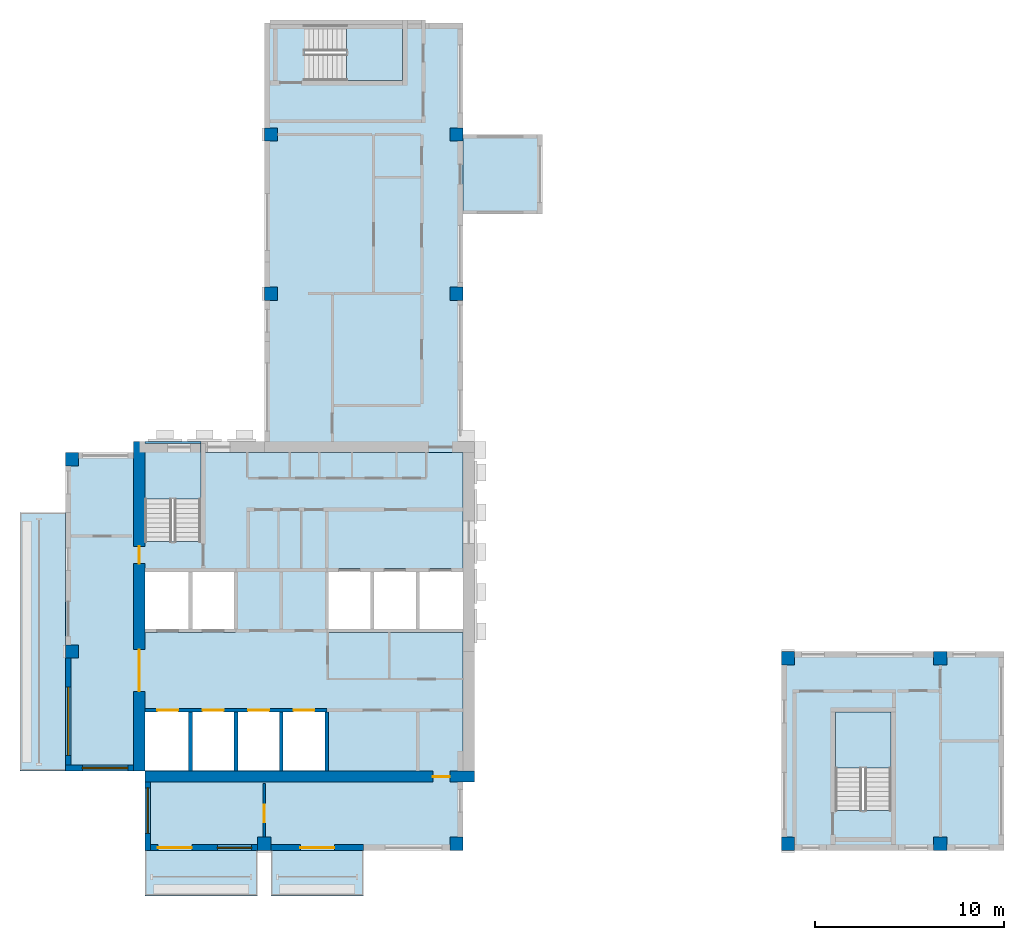
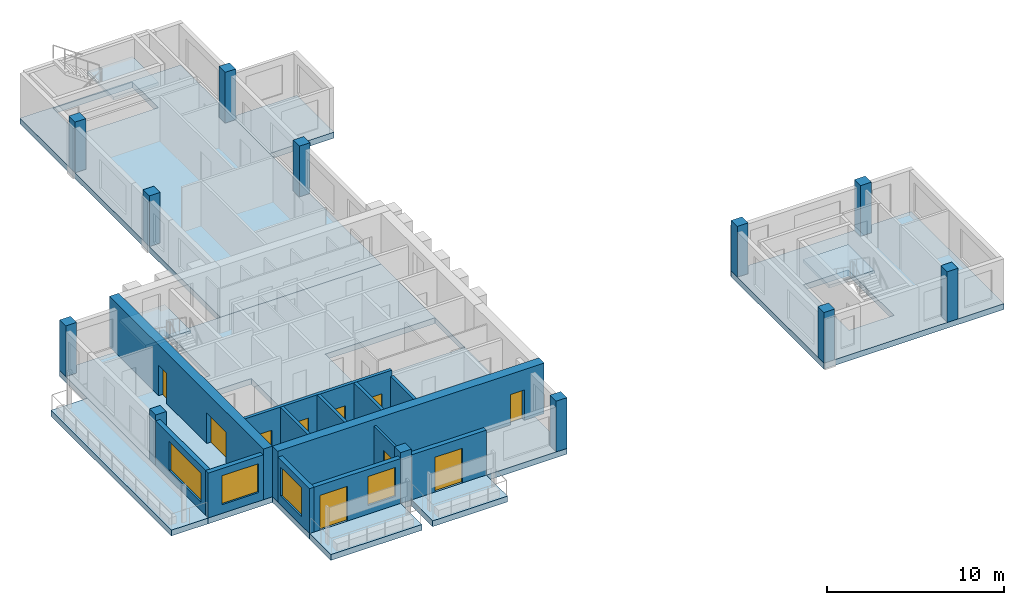
# One storey, part 1 of 9: 13 walls, 12 columns, 11 slabs, 10 doors, 4 windows, 14 openings, 3 elements without a shape of their own.
"""IFC4 building model written with IfcOpenShell, lengths in metres."""

import ifcopenshell
import ifcopenshell.guid

model = None  # the IFC model being written
_history = None  # IfcOwnerHistory: only IFC2X3 demands one
_inside = {}  # id of a spatial element -> (the spatial element, [elements in it])
_under = {}  # id of a project, library or spatial element -> (it, [spatial elements below it])
_declared = {}  # id of a project -> (the project, [libraries it declares])
_typed = {}  # id of a type object -> (the type object, [elements of that type])
_made_of = {}  # id of a material, layer set ... -> (it, [elements and type objects made of it])


def new_model(schema):
    """Start an empty IFC model of exactly this schema.

    Asked for "IFC4X3", IfcOpenShell would pick the latest addendum, in which some entities
    have other attributes; the version numbers below select the first issue.
    IFC2X3 requires an IfcOwnerHistory on every rooted entity: one is made here for all.
    """
    global model, _history
    if schema == "IFC4X3":
        model = ifcopenshell.file(schema_version=(4, 3, 0, 0))
    else:
        model = ifcopenshell.file(schema=schema)
    _inside.clear()
    _under.clear()
    _declared.clear()
    _typed.clear()
    _made_of.clear()
    _history = None
    if model.schema == "IFC2X3":
        org = make("IfcOrganization", Name="unknown")
        user = make(
            "IfcPersonAndOrganization",
            ThePerson=make("IfcPerson", FamilyName="unknown"),
            TheOrganization=org,
        )
        app = make(
            "IfcApplication",
            ApplicationDeveloper=org,
            Version="unknown",
            ApplicationFullName="unknown",
            ApplicationIdentifier="unknown",
        )
        _history = make(
            "IfcOwnerHistory",
            OwningUser=user,
            OwningApplication=app,
            ChangeAction="ADDED",
            CreationDate=0,
        )
    return model


def make(cls, **values):
    """One entity of the class cls with the attributes given. An attribute that is None is left unset."""
    return model.create_entity(
        cls, **{name: value for name, value in values.items() if value is not None}
    )


def rooted(cls, **values):
    """An entity with a GlobalId (a new one), such as an element, a storey or a relation."""
    return make(cls, GlobalId=ifcopenshell.guid.new(), OwnerHistory=_history, **values)


def si_unit(unit_type, name, prefix=None):
    """IfcSIUnit, for example si_unit("LENGTHUNIT", "METRE", prefix="MILLI")."""
    return make("IfcSIUnit", UnitType=unit_type, Prefix=prefix, Name=name)


def assignment(units):
    """IfcUnitAssignment: the units of a project."""
    return None if units is None else make("IfcUnitAssignment", Units=units)


def point(xyz):
    """IfcCartesianPoint."""
    return None if xyz is None else make("IfcCartesianPoint", Coordinates=xyz)


def direction(xyz):
    """IfcDirection."""
    return None if xyz is None else make("IfcDirection", DirectionRatios=xyz)


def frame(location, z_axis=None, x_axis=None):
    """IfcAxis2Placement3D, a coordinate frame: its origin and axes. An axis left out is left unset."""
    return make(
        "IfcAxis2Placement3D",
        Location=point(location),
        Axis=direction(z_axis),
        RefDirection=direction(x_axis),
    )


def frame_2d(location, x_axis=None):
    """IfcAxis2Placement2D, a coordinate frame in the plane: its origin and x axis."""
    return make(
        "IfcAxis2Placement2D", Location=point(location), RefDirection=direction(x_axis)
    )


def origin():
    """The frame at (0, 0, 0) with its axes left unset."""
    return frame((0.0, 0.0, 0.0))


def origin_2d():
    """The frame at (0, 0) in the plane with its x axis left unset."""
    return frame_2d((0.0, 0.0))


def place(relative_to, where):
    """IfcLocalPlacement: puts the frame where relative to a parent placement (None: the world)."""
    return make(
        "IfcLocalPlacement", PlacementRelTo=relative_to, RelativePlacement=where
    )


def context(
    kind, dimensions, precision=None, world=None, true_north=None, identifier=None
):
    """IfcGeometricRepresentationContext, for example the 3D "Model" context."""
    return make(
        "IfcGeometricRepresentationContext",
        ContextIdentifier=identifier,
        ContextType=kind,
        CoordinateSpaceDimension=dimensions,
        Precision=precision,
        WorldCoordinateSystem=world,
        TrueNorth=true_north,
    )


def subcontext(parent, identifier, kind, view, scale=None):
    """IfcGeometricRepresentationSubContext, for example "Body" below "Model"."""
    return make(
        "IfcGeometricRepresentationSubContext",
        ContextIdentifier=identifier,
        ContextType=kind,
        ParentContext=parent,
        TargetScale=scale,
        TargetView=view,
    )


def project(units=None, contexts=None):
    """IfcProject with its units and contexts."""
    return rooted(
        "IfcProject",
        Name="project",
        RepresentationContexts=contexts,
        UnitsInContext=assignment(units),
    )


def spatial(cls, under=None, at=None, **own):
    """A site, building, storey or space (cls), placed at a placement, below another one or the project."""
    s = rooted(cls, ObjectPlacement=at, **own)
    if under is not None:
        _under.setdefault(under.id(), (under, []))[1].append(s)
    return s


def polyline(points):
    """IfcPolyline through the points."""
    return make("IfcPolyline", Points=[point(p) for p in points])


def profile(cls, at=None, kind="AREA", **sizes):
    """A parametric profile (cls). Its sizes go by their IFC names, for example OverallWidth=200.0."""
    return make(cls, ProfileType=kind, Position=at, **sizes)


def rectangle(**sizes):
    """IfcRectangleProfileDef."""
    return profile("IfcRectangleProfileDef", **sizes)


def outline(outer, holes=None, kind="AREA"):
    """IfcArbitraryClosedProfileDef: a profile drawn as a closed curve; with holes, ...WithVoids."""
    if holes is None:
        return make("IfcArbitraryClosedProfileDef", ProfileType=kind, OuterCurve=outer)
    return make(
        "IfcArbitraryProfileDefWithVoids",
        ProfileType=kind,
        OuterCurve=outer,
        InnerCurves=holes,
    )


def extrude(swept, where, along, depth):
    """IfcExtrudedAreaSolid: the profile swept, set in the frame where, extruded along a direction by depth."""
    return make(
        "IfcExtrudedAreaSolid",
        SweptArea=swept,
        Position=where,
        ExtrudedDirection=direction(along),
        Depth=depth,
    )


def shape(context_of_items, identifier, shape_type, items):
    """IfcShapeRepresentation: the items that make up one representation, for example the "Body"."""
    return make(
        "IfcShapeRepresentation",
        ContextOfItems=context_of_items,
        RepresentationIdentifier=identifier,
        RepresentationType=shape_type,
        Items=items,
    )


def source(mapping_origin, context_of_items, identifier, shape_type, items):
    """IfcRepresentationMap: a shape defined once, which mapped items show again and again."""
    return make(
        "IfcRepresentationMap",
        MappingOrigin=mapping_origin,
        MappedRepresentation=shape(context_of_items, identifier, shape_type, items),
    )


def transform(
    local_origin,
    x_axis=None,
    y_axis=None,
    z_axis=None,
    scale=None,
    scale2=None,
    scale3=None,
    uniform=True,
):
    """IfcCartesianTransformationOperator3D, or its non-uniform kind. x_axis, y_axis, z_axis: its Axis1, 2, 3."""
    if uniform:
        return make(
            "IfcCartesianTransformationOperator3D",
            Axis1=direction(x_axis),
            Axis2=direction(y_axis),
            LocalOrigin=point(local_origin),
            Scale=scale,
            Axis3=direction(z_axis),
        )
    return make(
        "IfcCartesianTransformationOperator3DnonUniform",
        Axis1=direction(x_axis),
        Axis2=direction(y_axis),
        LocalOrigin=point(local_origin),
        Scale=scale,
        Axis3=direction(z_axis),
        Scale2=scale2,
        Scale3=scale3,
    )


def mapped(mapping_source, mapping_target):
    """IfcMappedItem: shows the shape of a source again, moved by a transform."""
    return make(
        "IfcMappedItem", MappingSource=mapping_source, MappingTarget=mapping_target
    )


def material(Name=None, Category=None):
    """IfcMaterial."""
    return make("IfcMaterial", Name=Name, Category=Category)


def layer(
    of_material, thickness, ventilated=None, Name=None, Category=None, Priority=None
):
    """IfcMaterialLayer: one layer of a wall or slab, of a material (None: an air gap)."""
    return make(
        "IfcMaterialLayer",
        Material=of_material,
        LayerThickness=thickness,
        IsVentilated=ventilated,
        Name=Name,
        Category=Category,
        Priority=Priority,
    )


def layer_set(layers, Name=None):
    """IfcMaterialLayerSet."""
    return make("IfcMaterialLayerSet", MaterialLayers=layers, LayerSetName=Name)


def material_profile(
    of_material, cross_section, Name=None, Category=None, Priority=None
):
    """IfcMaterialProfile: a cross section and its material."""
    return make(
        "IfcMaterialProfile",
        Name=Name,
        Material=of_material,
        Profile=cross_section,
        Priority=Priority,
        Category=Category,
    )


def profile_set(profiles, Name=None, composite=None):
    """IfcMaterialProfileSet."""
    return make(
        "IfcMaterialProfileSet",
        Name=Name,
        MaterialProfiles=profiles,
        CompositeProfile=composite,
    )


def made_of(thing, what):
    """Note that an element or type object is made of a material, layer set ...; save() writes the relation."""
    if what is not None:
        _made_of.setdefault(what.id(), (what, []))[1].append(thing)
    return thing


def type_object(cls, material=None, **own):
    """A type object (cls), such as IfcWallType, which elements share."""
    return made_of(rooted(cls, **own), material)


def element(
    cls,
    number,
    at=None,
    inside=None,
    cuts=None,
    type_object=None,
    material=None,
    context=None,
    identifier="Body",
    shape_type=None,
    held_by="IfcProductDefinitionShape",
    body=None,
    shapes=None,
    **own,
):
    """One element of the class cls, such as IfcWall. Its Tag is "e" and its number.

    at: its placement. inside: the storey or other place that contains it. cuts: it is an
    opening in that element (IfcRelVoidsElement). A single representation is given by context,
    identifier, shape_type and body (its items); several are given by shapes. held_by: the class
    of the entity that holds the representations. save() writes the other relations.
    """
    e = rooted(cls, Tag="e%d" % number, ObjectPlacement=at, **own)
    if body is not None:
        shapes = [shape(context, identifier, shape_type, body)]
    if shapes is not None:
        e.Representation = make(held_by, Representations=shapes)
    if inside is not None:
        _inside.setdefault(inside.id(), (inside, []))[1].append(e)
    if cuts is not None:
        rooted(
            "IfcRelVoidsElement", RelatingBuildingElement=cuts, RelatedOpeningElement=e
        )
    if type_object is not None:
        _typed.setdefault(type_object.id(), (type_object, []))[1].append(e)
    return made_of(e, material)


def fill(opening, filler):
    """IfcRelFillsElement: the door or window that sits in an opening."""
    return rooted(
        "IfcRelFillsElement",
        RelatingOpeningElement=opening,
        RelatedBuildingElement=filler,
    )


def aggregate(whole, parts):
    """IfcRelAggregates: a whole, such as a stair, and the parts it consists of."""
    return rooted("IfcRelAggregates", RelatingObject=whole, RelatedObjects=parts)


def save(model, path):
    """Write the relations noted so far, then the file.

    IfcRelAggregates (storeys below a building ...), IfcRelContainedInSpatialStructure (elements
    in a storey), IfcRelDefinesByType, IfcRelAssociatesMaterial and IfcRelDeclares: one each for
    every whole, place, type object, material and project.
    """
    for whole, parts in _under.values():
        aggregate(whole, parts)
    for where, things in _inside.values():
        rooted(
            "IfcRelContainedInSpatialStructure",
            RelatedElements=things,
            RelatingStructure=where,
        )
    for kind, things in _typed.values():
        rooted("IfcRelDefinesByType", RelatedObjects=things, RelatingType=kind)
    for what, things in _made_of.values():
        rooted("IfcRelAssociatesMaterial", RelatedObjects=things, RelatingMaterial=what)
    for by, libraries in _declared.values():
        rooted("IfcRelDeclares", RelatingContext=by, RelatedDefinitions=libraries)
    model.write(path)


model = new_model("IFC4")

# Units and contexts
model_context = context("Model", 3, precision=1e-05, world=origin(), true_north=direction((0.0, 1.0)))
body_context = subcontext(model_context, "Body", "Model", "MODEL_VIEW")
ifc_project = project(units=[si_unit("LENGTHUNIT", "METRE"), si_unit("AREAUNIT", "SQUARE_METRE"), si_unit("VOLUMEUNIT", "CUBIC_METRE"), si_unit("PLANEANGLEUNIT", "RADIAN"), si_unit("MASSUNIT", "GRAM", prefix="KILO")], contexts=[model_context])

# Site, building, storey
site_placement = place(None, origin())
site = spatial("IfcSite", under=ifc_project, at=site_placement, CompositionType="ELEMENT")
building_placement = place(site_placement, origin())
building = spatial("IfcBuilding", under=site, at=building_placement, Name="Aurelian Terraces", CompositionType="ELEMENT")
storey_placement = place(building_placement, frame((0.0, 0.0, 298.5)))
storey = spatial("IfcBuildingStorey", under=building, at=storey_placement, Name="L68", CompositionType="ELEMENT", Elevation=298.5)

# Columns
ifc_material_1 = material(Name="Concrete fc' 55 MPa", Category="concrete")
ifc_material_profile = material_profile(ifc_material_1, rectangle(XDim=0.7, YDim=0.7, at=origin_2d()))
ifc_profile_set = profile_set([ifc_material_profile], Name="Concrete fc' 55 MPa")
column_type = type_object("IfcColumnType", Name="RC COLUMN 700X700 FC55", PredefinedType="COLUMN", material=ifc_profile_set)
shared_shape_1 = source(origin(), body_context, "Body", "SweptSolid", [
    extrude(rectangle(XDim=0.7, YDim=0.7, at=origin_2d()), origin(), (0.0, 0.0, 1.0), 3.5),
])
for number, where, z_axis, x_axis, name in (
    (1, (10.5, 0.35, 0.0), (0.0, 0.0, 1.0), (1.0, 0.0, 0.0), "Column 2/A L68"),
    (2, (20.65, 0.35, 0.0), (0.0, 0.0, 1.0), (1.0, 0.0, 0.0), "Column 3/A L68"),
    (3, (38.15, 0.35, 0.0), (0.0, 0.0, 1.0), (1.0, 0.0, 0.0), "Column 5/A L68"),
    (4, (46.2, 0.35, 0.0), (0.0, 0.0, 1.0), (1.0, 0.0, 0.0), "Column 6/A L68"),
    (5, (0.35, 10.5, 0.0), (0.0, 0.0, 1.0), (1.0, 0.0, 0.0), "Column 1/B L68"),
    (6, (38.15, 10.15, 0.0), (0.0, 0.0, 1.0), (1.0, 0.0, 0.0), "Column 5/B L68"),
    (7, (46.2, 10.15, 0.0), (0.0, 0.0, 1.0), (1.0, 0.0, 0.0), "Column 6/B L68"),
    (8, (0.35, 20.65, 0.0), (0.0, 0.0, 1.0), (1.0, 0.0, 0.0), "Column 1/C L68"),
    (9, (10.85, 29.4, 0.0), (0.0, 0.0, 1.0), (1.0, 0.0, 0.0), "Column 2/D L68"),
    (10, (20.65, 29.4, 0.0), (0.0, 0.0, 1.0), (1.0, 0.0, 0.0), "Column 3/D L68"),
    (11, (10.85, 37.8, 0.0), (0.0, 0.0, 1.0), (1.0, 0.0, 0.0), "Column 2/E L68"),
    (12, (20.65, 37.8, 0.0), (0.0, 0.0, 1.0), (1.0, 0.0, 0.0), "Column 3/E L68"),
):
    element("IfcColumn", number, at=place(storey_placement, frame(where, z_axis=z_axis, x_axis=x_axis)), inside=storey, type_object=column_type, Name=name, PredefinedType="COLUMN", context=body_context, shape_type="MappedRepresentation", body=[
        mapped(shared_shape_1, transform((0.0, 0.0, 0.0), scale=1.0)),
    ])

# Slabs
ifc_material_2 = material(Name="Concrete fc' 40 MPa", Category="concrete")
ifc_layer_1 = layer(ifc_material_2, 0.4)
ifc_layer_set_1 = layer_set([ifc_layer_1], Name="Balcony slab 400")
slab_type_1 = type_object("IfcSlabType", Name="Balcony slab 400", PredefinedType="NOTDEFINED", material=ifc_layer_set_1)
slab_1_placement = place(storey_placement, frame((0.0, 0.0, -0.4)))
element("IfcSlab", 13, at=slab_1_placement, inside=storey, type_object=slab_type_1, Name="Balcony slab L68 F01.1", PredefinedType="NOTDEFINED", context=body_context, shape_type="SweptSolid", body=[
    extrude(outline(polyline([(4.2, 0.0), (10.15, 0.0), (10.15, -2.4), (4.2, -2.4), (4.2, 0.0)])), origin(), (0.0, 0.0, 1.0), 0.4),
])
slab_2_placement = place(storey_placement, frame((0.0, 0.0, -0.4)))
element("IfcSlab", 14, at=slab_2_placement, inside=storey, type_object=slab_type_1, Name="Balcony slab L68 F01.2", PredefinedType="NOTDEFINED", context=body_context, shape_type="SweptSolid", body=[
    extrude(outline(polyline([(10.85, 0.0), (15.75, 0.0), (15.75, -2.4), (10.85, -2.4), (10.85, 0.0)])), origin(), (0.0, 0.0, 1.0), 0.4),
])
ifc_layer_2 = layer(ifc_material_2, 0.4)
ifc_layer_set_2 = layer_set([ifc_layer_2], Name="PT FLAT PLATE 400")
slab_type_2 = type_object("IfcSlabType", Name="PT FLAT PLATE 400", PredefinedType="FLOOR", material=ifc_layer_set_2)
shared_shape_2 = source(origin(), body_context, "Body", "SweptSolid", [
    extrude(outline(polyline([(10.5, 43.68), (14.7, 43.68), (16.8, 43.68), (21.0, 43.68), (21.0, 21.0), (10.5, 21.0), (10.5, 43.68)]), holes=[polyline([(17.79, 43.59), (12.61, 43.59), (12.61, 40.66), (17.79, 40.66), (17.79, 43.59)])]), origin(), (0.0, 0.0, 1.0), 0.4),
])
slab_3_placement = place(storey_placement, frame((0.0, 0.0, -0.4)))
element("IfcSlab", 15, at=slab_3_placement, inside=storey, type_object=slab_type_2, Name="Floor slab W L68", PredefinedType="FLOOR", context=body_context, shape_type="MappedRepresentation", body=[
    mapped(shared_shape_2, transform((0.0, 0.0, 0.0), scale=1.0)),
])
shared_shape_3 = source(origin(), body_context, "Body", "SweptSolid", [
    extrude(outline(polyline([(4.2, 21.0), (4.2, 21.6), (7.15, 21.6), (7.15, 21.0), (7.14, 21.0), (7.14, 21.49), (4.21, 21.49), (4.21, 21.0), (4.2, 21.0)])), origin(), (0.0, 0.0, 1.0), 0.4),
])
slab_4_placement = place(storey_placement, frame((0.0, 0.0, -0.4)))
element("IfcSlab", 16, at=slab_4_placement, inside=storey, type_object=slab_type_2, Name="Floor slab W2 L68", PredefinedType="FLOOR", context=body_context, shape_type="MappedRepresentation", body=[
    mapped(shared_shape_3, transform((0.0, 0.0, 0.0), scale=1.0)),
])
shared_shape_4 = source(origin(), body_context, "Body", "SweptSolid", [
    extrude(outline(polyline([(4.2, 4.2), (0.0, 4.2), (0.0, 10.5), (0.0, 21.0), (4.21, 21.0), (4.21, 16.31), (7.14, 16.31), (7.14, 21.0), (21.0, 21.0), (21.0, 10.5), (21.0, 0.0), (4.2, 0.0), (4.2, 4.2)]), holes=[polyline([(13.81, 14.89), (13.81, 11.51), (20.99, 11.51), (20.99, 14.89), (13.81, 14.89)]), polyline([(4.21, 7.49), (4.21, 4.21), (13.79, 4.21), (13.79, 7.49), (4.21, 7.49)]), polyline([(8.99, 11.51), (8.99, 14.89), (4.21, 14.89), (4.21, 11.51), (8.99, 11.51)])]), origin(), (0.0, 0.0, 1.0), 0.4),
])
slab_5_placement = place(storey_placement, frame((0.0, 0.0, -0.4)))
element("IfcSlab", 17, at=slab_5_placement, inside=storey, type_object=slab_type_2, Name="Floor slab S L68", PredefinedType="FLOOR", context=body_context, shape_type="MappedRepresentation", body=[
    mapped(shared_shape_4, transform((0.0, 0.0, 0.0), scale=1.0)),
])
shared_shape_5 = source(origin(), body_context, "Body", "SweptSolid", [
    extrude(outline(polyline([(37.8, 10.5), (49.56, 10.5), (49.56, 6.3), (49.56, 4.2), (49.56, 0.0), (37.8, 0.0), (37.8, 10.5)]), holes=[polyline([(40.66, 2.11), (43.59, 2.11), (43.59, 7.29), (40.66, 7.29), (40.66, 2.11)])]), origin(), (0.0, 0.0, 1.0), 0.4),
])
slab_6_placement = place(storey_placement, frame((0.0, 0.0, -0.4)))
element("IfcSlab", 18, at=slab_6_placement, inside=storey, type_object=slab_type_2, Name="Floor slab S2 L68", PredefinedType="FLOOR", context=body_context, shape_type="MappedRepresentation", body=[
    mapped(shared_shape_5, transform((0.0, 0.0, 0.0), scale=1.0)),
])
ifc_layer_3 = layer(ifc_material_2, 0.41)
ifc_layer_set_3 = layer_set([ifc_layer_3], Name="Box floor 410")
slab_type_3 = type_object("IfcSlabType", Name="Box floor 410", PredefinedType="NOTDEFINED", material=ifc_layer_set_3)
shared_shape_6 = source(origin(), body_context, "Body", "SweptSolid", [
    extrude(outline(polyline([(25.2, 33.6), (25.2, 37.8), (21.0, 37.8), (21.0, 33.6), (25.2, 33.6)])), origin(), (0.0, 0.0, 1.0), 0.41),
])
slab_7_placement = place(storey_placement, frame((0.0, 0.0, -0.41)))
element("IfcSlab", 19, at=slab_7_placement, inside=storey, type_object=slab_type_3, Name="Box floor L68 J90", PredefinedType="NOTDEFINED", context=body_context, shape_type="MappedRepresentation", body=[
    mapped(shared_shape_6, transform((0.0, 0.0, 0.0), scale=1.0)),
])
shared_shape_7 = source(origin(), body_context, "Body", "SweptSolid", [
    extrude(outline(polyline([(0.0, 17.85), (0.0, 4.2), (-2.4, 4.2), (-2.4, 17.85), (0.0, 17.85)])), origin(), (0.0, 0.0, 1.0), 0.4),
])
slab_8_placement = place(storey_placement, frame((0.0, 0.0, -0.4)))
element("IfcSlab", 20, at=slab_8_placement, inside=storey, type_object=slab_type_1, Name="Balcony slab L68 F10.20", PredefinedType="NOTDEFINED", context=body_context, shape_type="MappedRepresentation", body=[
    mapped(shared_shape_7, transform((0.0, 0.0, 0.0), scale=1.0)),
])

# Stair, slab
stair_type = type_object("IfcStairType", Name="Stair 1400", PredefinedType="HALF_TURN_STAIR", material=ifc_material_2)
stair_1_placement = place(storey_placement, origin())
stair_1 = element("IfcStair", 21, at=stair_1_placement, inside=storey, type_object=stair_type, Name="L68 S1", PredefinedType="HALF_TURN_STAIR")
ifc_layer_4 = layer(ifc_material_2, 0.2)
ifc_layer_set_4 = layer_set([ifc_layer_4], Name="Stair landing 200")
slab_type_4 = type_object("IfcSlabType", Name="Stair landing 200", PredefinedType="LANDING", material=ifc_layer_set_4)
shared_shape_8 = source(origin(), body_context, "Body", "SweptSolid", [
    extrude(outline(polyline([(7.15, 18.55), (7.15, 21.5), (4.2, 21.5), (4.2, 18.55), (7.15, 18.55)])), origin(), (0.0, 0.0, 1.0), 0.2),
])
slab_9_placement = place(storey_placement, frame((0.0, 0.0, 1.55)))
slab_9 = element("IfcSlab", 22, at=slab_9_placement, type_object=slab_type_4, Name="S1 landing 1", PredefinedType="LANDING", context=body_context, shape_type="MappedRepresentation", body=[
    mapped(shared_shape_8, transform((0.0, 0.0, 0.0), scale=1.0)),
])
aggregate(stair_1, [slab_9])

stair_2_placement = place(storey_placement, origin())
stair_2 = element("IfcStair", 23, at=stair_2_placement, inside=storey, type_object=stair_type, Name="L68 S2", PredefinedType="HALF_TURN_STAIR")
shared_shape_9 = source(origin(), body_context, "Body", "SweptSolid", [
    extrude(outline(polyline([(43.6, 4.35), (43.6, 7.3), (40.65, 7.3), (40.65, 4.35), (43.6, 4.35)])), origin(), (0.0, 0.0, 1.0), 0.2),
])
slab_10_placement = place(storey_placement, frame((0.0, 0.0, 1.55)))
slab_10 = element("IfcSlab", 24, at=slab_10_placement, type_object=slab_type_4, Name="S2 landing 1", PredefinedType="LANDING", context=body_context, shape_type="MappedRepresentation", body=[
    mapped(shared_shape_9, transform((0.0, 0.0, 0.0), scale=1.0)),
])
aggregate(stair_2, [slab_10])

stair_3_placement = place(storey_placement, origin())
stair_3 = element("IfcStair", 25, at=stair_3_placement, inside=storey, type_object=stair_type, Name="L68 S3U", PredefinedType="HALF_TURN_STAIR")
shared_shape_10 = source(origin(), body_context, "Body", "SweptSolid", [
    extrude(outline(polyline([(14.85, 40.65), (17.8, 40.65), (17.8, 43.6), (14.85, 43.6), (14.85, 40.65)])), origin(), (0.0, 0.0, 1.0), 0.2),
])
slab_11_placement = place(storey_placement, frame((0.0, 0.0, 1.55)))
slab_11 = element("IfcSlab", 26, at=slab_11_placement, type_object=slab_type_4, Name="S3U landing 1", PredefinedType="LANDING", context=body_context, shape_type="MappedRepresentation", body=[
    mapped(shared_shape_10, transform((0.0, 0.0, 0.0), scale=1.0)),
])
aggregate(stair_3, [slab_11])

# Wall, opening, door
ifc_material_3 = material(Name="Terracotta rainscreen cladding", Category="masonry")
ifc_layer_5 = layer(ifc_material_3, 0.3)
ifc_layer_set_5 = layer_set([ifc_layer_5], Name="EW-300")
wall_type_1 = type_object("IfcWallType", Name="EW-300", PredefinedType="STANDARD", material=ifc_layer_set_5)
wall_1_placement = place(storey_placement, frame((10.85, 0.15, 0.0), z_axis=(0.0, 0.0, 1.0), x_axis=(1.0, 0.0, 0.0)))
wall_1 = element("IfcWall", 27, at=wall_1_placement, inside=storey, type_object=wall_type_1, Name="External wall L68 F01.2", PredefinedType="STANDARD", context=body_context, shape_type="SweptSolid", body=[
    extrude(rectangle(XDim=4.9, YDim=0.3, at=frame_2d((2.45, 0.0))), origin(), (0.0, 0.0, 1.0), 3.1),
])
shared_shape_11 = source(origin(), body_context, "Body", "SweptSolid", [
    extrude(rectangle(XDim=1.8, YDim=2.4, at=frame_2d((0.9, 1.2))), frame((0.0, 0.16, 0.0), z_axis=(0.0, -1.0, 0.0), x_axis=(1.0, 0.0, 0.0)), (0.0, 0.0, 1.0), 0.32),
])
opening_1_placement = place(wall_1_placement, frame((1.55, 0.0, 0.0)))
opening_1 = element("IfcOpeningElement", 28, at=opening_1_placement, cuts=wall_1, Name="Opening 86802", PredefinedType="OPENING", context=body_context, shape_type="MappedRepresentation", body=[
    mapped(shared_shape_11, transform((0.0, 0.0, 0.0), scale=1.0)),
])
ifc_material_4 = material(Name="Clear glazing", Category="glass")
door_type_1 = type_object("IfcDoorType", Name="BD-1800x2400", OperationType="SLIDING_TO_LEFT", PredefinedType="DOOR", material=ifc_material_4)
shared_shape_12 = source(origin(), body_context, "Body", "SweptSolid", [
    extrude(rectangle(XDim=1.8, YDim=2.4, at=frame_2d((0.9, 1.2))), frame((0.0, 0.025, 0.0), z_axis=(0.0, -1.0, 0.0), x_axis=(1.0, 0.0, 0.0)), (0.0, 0.0, 1.0), 0.05),
])
door_1_placement = place(opening_1_placement, origin())
door_1 = element("IfcDoor", 29, at=door_1_placement, inside=storey, type_object=door_type_1, Name="Balcony door L68 F01.2", OperationType="SLIDING_TO_LEFT", OverallHeight=2.4, OverallWidth=1.8, PredefinedType="DOOR", context=body_context, shape_type="MappedRepresentation", body=[
    mapped(shared_shape_12, transform((0.0, 0.0, 0.0), scale=1.0)),
])
fill(opening_1, door_1)

# Wall, openings, doors
ifc_layer_6 = layer(ifc_material_1, 0.6)
ifc_layer_set_6 = layer_set([ifc_layer_6], Name="CORE WALL 600 FC55")
wall_type_2 = type_object("IfcWallType", Name="CORE WALL 600 FC55", PredefinedType="SHEAR", material=ifc_layer_set_6)
shared_shape_13 = source(origin(), body_context, "Body", "SweptSolid", [
    extrude(rectangle(XDim=17.4, YDim=0.6, at=frame_2d((8.7, 0.0))), origin(), (0.0, 0.0, 1.0), 3.5),
])
wall_2_placement = place(storey_placement, frame((3.9, 4.2, 0.0), z_axis=(0.0, 0.0, 1.0), x_axis=(0.0, 1.0, 0.0)))
wall_2 = element("IfcWall", 30, at=wall_2_placement, inside=storey, type_object=wall_type_2, Name="Core wall W L68", PredefinedType="SHEAR", context=body_context, shape_type="MappedRepresentation", body=[
    mapped(shared_shape_13, transform((0.0, 0.0, 0.0), scale=1.0)),
])
shared_shape_14 = source(origin(), body_context, "Body", "SweptSolid", [
    extrude(rectangle(XDim=2.2, YDim=2.1, at=frame_2d((1.1, 1.05))), frame((0.0, 0.31, 0.0), z_axis=(0.0, -1.0, 0.0), x_axis=(1.0, 0.0, 0.0)), (0.0, 0.0, 1.0), 0.62),
])
opening_2_placement = place(wall_2_placement, frame((4.2, 0.0, 0.0)))
opening_2 = element("IfcOpeningElement", 31, at=opening_2_placement, cuts=wall_2, Name="Opening 67131", PredefinedType="OPENING", context=body_context, shape_type="MappedRepresentation", body=[
    mapped(shared_shape_14, transform((0.0, 0.0, 0.0), scale=1.0)),
])
shared_shape_15 = source(origin(), body_context, "Body", "SweptSolid", [
    extrude(rectangle(XDim=0.9, YDim=2.1, at=frame_2d((0.45, 1.05))), frame((0.0, 0.31, 0.0), z_axis=(0.0, -1.0, 0.0), x_axis=(1.0, 0.0, 0.0)), (0.0, 0.0, 1.0), 0.62),
])
opening_3_placement = place(wall_2_placement, frame((10.95, 0.0, 0.0)))
opening_3 = element("IfcOpeningElement", 32, at=opening_3_placement, cuts=wall_2, Name="Opening 67134", PredefinedType="OPENING", context=body_context, shape_type="MappedRepresentation", body=[
    mapped(shared_shape_15, transform((0.0, 0.0, 0.0), scale=1.0)),
])
ifc_material_5 = material(Name="Steel door leaf", Category="steel")
door_type_2 = type_object("IfcDoorType", Name="Core service door 900x2100", OperationType="SINGLE_SWING_LEFT", PredefinedType="DOOR", material=ifc_material_5)
shared_shape_16 = source(origin(), body_context, "Body", "SweptSolid", [
    extrude(rectangle(XDim=0.9, YDim=2.1, at=frame_2d((0.45, 1.05))), frame((0.0, 0.025, 0.0), z_axis=(0.0, -1.0, 0.0), x_axis=(1.0, 0.0, 0.0)), (0.0, 0.0, 1.0), 0.05),
])
door_2_placement = place(opening_3_placement, origin())
door_2 = element("IfcDoor", 33, at=door_2_placement, inside=storey, type_object=door_type_2, Name="Core door 67134", OperationType="SINGLE_SWING_LEFT", OverallHeight=2.1, OverallWidth=0.9, PredefinedType="DOOR", context=body_context, shape_type="MappedRepresentation", body=[
    mapped(shared_shape_16, transform((0.0, 0.0, 0.0), scale=1.0)),
])
fill(opening_3, door_2)
door_type_3 = type_object("IfcDoorType", Name="Core double door 2200x2100", OperationType="DOUBLE_DOOR_SINGLE_SWING", PredefinedType="DOOR", material=ifc_material_5)
shared_shape_17 = source(origin(), body_context, "Body", "SweptSolid", [
    extrude(rectangle(XDim=2.2, YDim=2.1, at=frame_2d((1.1, 1.05))), frame((0.0, 0.025, 0.0), z_axis=(0.0, -1.0, 0.0), x_axis=(1.0, 0.0, 0.0)), (0.0, 0.0, 1.0), 0.05),
])
door_3_placement = place(opening_2_placement, origin())
door_3 = element("IfcDoor", 34, at=door_3_placement, inside=storey, type_object=door_type_3, Name="Core door 67131", OperationType="DOUBLE_DOOR_SINGLE_SWING", OverallHeight=2.1, OverallWidth=2.2, PredefinedType="DOOR", context=body_context, shape_type="MappedRepresentation", body=[
    mapped(shared_shape_17, transform((0.0, 0.0, 0.0), scale=1.0)),
])
fill(opening_2, door_3)

# Wall, opening, door
wall_3_placement = place(storey_placement, frame((4.2, 3.9, 0.0), z_axis=(0.0, 0.0, 1.0), x_axis=(1.0, 0.0, 0.0)))
wall_3 = element("IfcWall", 35, at=wall_3_placement, inside=storey, type_object=wall_type_2, Name="Core wall S L68", PredefinedType="SHEAR", context=body_context, shape_type="MappedRepresentation", body=[
    mapped(shared_shape_13, transform((0.0, 0.0, 0.0), scale=1.0)),
])
opening_4_placement = place(wall_3_placement, frame((15.2, 0.0, 0.0)))
opening_4 = element("IfcOpeningElement", 36, at=opening_4_placement, cuts=wall_3, Name="Opening 67133", PredefinedType="OPENING", context=body_context, shape_type="MappedRepresentation", body=[
    mapped(shared_shape_15, transform((0.0, 0.0, 0.0), scale=1.0)),
])
door_type_4 = type_object("IfcDoorType", Name="Core service door 900x2100 right", OperationType="SINGLE_SWING_RIGHT", PredefinedType="DOOR", material=ifc_material_5)
door_4_placement = place(opening_4_placement, origin())
door_4 = element("IfcDoor", 37, at=door_4_placement, inside=storey, type_object=door_type_4, Name="Core door 67133", OperationType="SINGLE_SWING_RIGHT", OverallHeight=2.1, OverallWidth=0.9, PredefinedType="DOOR", context=body_context, shape_type="MappedRepresentation", body=[
    mapped(shared_shape_16, transform((0.0, 0.0, 0.0), scale=1.0)),
])
fill(opening_4, door_4)

# Wall, opening, window
shared_shape_18 = source(origin(), body_context, "Body", "SweptSolid", [
    extrude(rectangle(XDim=3.6, YDim=0.3, at=frame_2d((1.8, 0.0))), origin(), (0.0, 0.0, 1.0), 3.1),
])
wall_4_placement = place(storey_placement, frame((0.0, 4.35, 0.0), z_axis=(0.0, 0.0, 1.0), x_axis=(1.0, 0.0, 0.0)))
wall_4 = element("IfcWall", 38, at=wall_4_placement, inside=storey, type_object=wall_type_1, Name="External wall L68 F11.21", PredefinedType="STANDARD", context=body_context, shape_type="MappedRepresentation", body=[
    mapped(shared_shape_18, transform((0.0, 0.0, 0.0), scale=1.0)),
])
shared_shape_19 = source(origin(), body_context, "Body", "SweptSolid", [
    extrude(rectangle(XDim=2.4, YDim=2.0, at=frame_2d((1.2, 1.0))), frame((0.0, 0.16, 0.0), z_axis=(0.0, -1.0, 0.0), x_axis=(1.0, 0.0, 0.0)), (0.0, 0.0, 1.0), 0.32),
])
opening_5_placement = place(wall_4_placement, frame((0.9, 0.0, 0.6)))
opening_5 = element("IfcOpeningElement", 39, at=opening_5_placement, cuts=wall_4, Name="Opening W2420", PredefinedType="OPENING", context=body_context, shape_type="MappedRepresentation", body=[
    mapped(shared_shape_19, transform((0.0, 0.0, 0.0), scale=1.0)),
])
window_type_1 = type_object("IfcWindowType", Name="W-2400x2000", PartitioningType="SINGLE_PANEL", PredefinedType="WINDOW", material=ifc_material_4)
shared_shape_20 = source(origin(), body_context, "Body", "SweptSolid", [
    extrude(rectangle(XDim=2.4, YDim=2.0, at=frame_2d((1.2, 1.0))), frame((0.0, 0.03, 0.0), z_axis=(0.0, -1.0, 0.0), x_axis=(1.0, 0.0, 0.0)), (0.0, 0.0, 1.0), 0.06),
])
window_1_placement = place(opening_5_placement, origin())
window_1 = element("IfcWindow", 40, at=window_1_placement, inside=storey, type_object=window_type_1, Name="Window L68 L68-F11-21-0", OverallHeight=2.0, OverallWidth=2.4, PartitioningType="SINGLE_PANEL", PredefinedType="WINDOW", context=body_context, shape_type="MappedRepresentation", body=[
    mapped(shared_shape_20, transform((0.0, 0.0, 0.0), scale=1.0)),
])
fill(opening_5, window_1)

wall_5_placement = place(storey_placement, frame((4.35, 3.6, 0.0), z_axis=(0.0, 0.0, 1.0), x_axis=(0.0, -1.0, 0.0)))
wall_5 = element("IfcWall", 41, at=wall_5_placement, inside=storey, type_object=wall_type_1, Name="External wall L68 F12.22", PredefinedType="STANDARD", context=body_context, shape_type="MappedRepresentation", body=[
    mapped(shared_shape_18, transform((0.0, 0.0, 0.0), scale=1.0)),
])
opening_6_placement = place(wall_5_placement, frame((0.3, 0.0, 0.6)))
opening_6 = element("IfcOpeningElement", 42, at=opening_6_placement, cuts=wall_5, Name="Opening W2420", PredefinedType="OPENING", context=body_context, shape_type="MappedRepresentation", body=[
    mapped(shared_shape_19, transform((0.0, 0.0, 0.0), scale=1.0)),
])
window_2_placement = place(opening_6_placement, origin())
window_2 = element("IfcWindow", 43, at=window_2_placement, inside=storey, type_object=window_type_1, Name="Window L68 L68-F12-22-0", OverallHeight=2.0, OverallWidth=2.4, PartitioningType="SINGLE_PANEL", PredefinedType="WINDOW", context=body_context, shape_type="MappedRepresentation", body=[
    mapped(shared_shape_20, transform((0.0, 0.0, 0.0), scale=1.0)),
])
fill(opening_6, window_2)

# Wall, openings, door, window
shared_shape_21 = source(origin(), body_context, "Body", "SweptSolid", [
    extrude(rectangle(XDim=5.95, YDim=0.3, at=frame_2d((2.975, 0.0))), origin(), (0.0, 0.0, 1.0), 3.1),
])
wall_6_placement = place(storey_placement, frame((4.2, 0.15, 0.0), z_axis=(0.0, 0.0, 1.0), x_axis=(1.0, 0.0, 0.0)))
wall_6 = element("IfcWall", 44, at=wall_6_placement, inside=storey, type_object=wall_type_1, Name="External wall L68 F01.1", PredefinedType="STANDARD", context=body_context, shape_type="MappedRepresentation", body=[
    mapped(shared_shape_21, transform((0.0, 0.0, 0.0), scale=1.0)),
])
opening_7_placement = place(wall_6_placement, frame((0.675, 0.0, 0.0)))
opening_7 = element("IfcOpeningElement", 45, at=opening_7_placement, cuts=wall_6, Name="Opening 86801", PredefinedType="OPENING", context=body_context, shape_type="MappedRepresentation", body=[
    mapped(shared_shape_11, transform((0.0, 0.0, 0.0), scale=1.0)),
])
shared_shape_22 = source(origin(), body_context, "Body", "SweptSolid", [
    extrude(rectangle(XDim=1.8, YDim=2.0, at=frame_2d((0.9, 1.0))), frame((0.0, 0.16, 0.0), z_axis=(0.0, -1.0, 0.0), x_axis=(1.0, 0.0, 0.0)), (0.0, 0.0, 1.0), 0.32),
])
opening_8_placement = place(wall_6_placement, frame((3.825, 0.0, 0.6)))
opening_8 = element("IfcOpeningElement", 46, at=opening_8_placement, cuts=wall_6, Name="Opening W1820", PredefinedType="OPENING", context=body_context, shape_type="MappedRepresentation", body=[
    mapped(shared_shape_22, transform((0.0, 0.0, 0.0), scale=1.0)),
])
door_5_placement = place(opening_7_placement, origin())
door_5 = element("IfcDoor", 47, at=door_5_placement, inside=storey, type_object=door_type_1, Name="Balcony door L68 F01.1", OperationType="SLIDING_TO_LEFT", OverallHeight=2.4, OverallWidth=1.8, PredefinedType="DOOR", context=body_context, shape_type="MappedRepresentation", body=[
    mapped(shared_shape_12, transform((0.0, 0.0, 0.0), scale=1.0)),
])
fill(opening_7, door_5)
window_type_2 = type_object("IfcWindowType", Name="W-1800x2000", PartitioningType="SINGLE_PANEL", PredefinedType="WINDOW", material=ifc_material_4)
shared_shape_23 = source(origin(), body_context, "Body", "SweptSolid", [
    extrude(rectangle(XDim=1.8, YDim=2.0, at=frame_2d((0.9, 1.0))), frame((0.0, 0.03, 0.0), z_axis=(0.0, -1.0, 0.0), x_axis=(1.0, 0.0, 0.0)), (0.0, 0.0, 1.0), 0.06),
])
window_3_placement = place(opening_8_placement, origin())
window_3 = element("IfcWindow", 48, at=window_3_placement, inside=storey, type_object=window_type_2, Name="Window L68 L68-F01-01-1", OverallHeight=2.0, OverallWidth=1.8, PartitioningType="SINGLE_PANEL", PredefinedType="WINDOW", context=body_context, shape_type="MappedRepresentation", body=[
    mapped(shared_shape_23, transform((0.0, 0.0, 0.0), scale=1.0)),
])
fill(opening_8, window_3)

# Wall, opening, window
wall_7_placement = place(storey_placement, frame((0.15, 10.15, 0.0), z_axis=(0.0, 0.0, 1.0), x_axis=(0.0, -1.0, 0.0)))
wall_7 = element("IfcWall", 49, at=wall_7_placement, inside=storey, type_object=wall_type_1, Name="External wall L68 F10.20", PredefinedType="STANDARD", context=body_context, shape_type="MappedRepresentation", body=[
    mapped(shared_shape_21, transform((0.0, 0.0, 0.0), scale=1.0)),
])
shared_shape_24 = source(origin(), body_context, "Body", "SweptSolid", [
    extrude(rectangle(XDim=3.6, YDim=2.0, at=frame_2d((1.8, 1.0))), frame((0.0, 0.16, 0.0), z_axis=(0.0, -1.0, 0.0), x_axis=(1.0, 0.0, 0.0)), (0.0, 0.0, 1.0), 0.32),
])
opening_9_placement = place(wall_7_placement, frame((1.525, 0.0, 0.6)))
opening_9 = element("IfcOpeningElement", 50, at=opening_9_placement, cuts=wall_7, Name="Opening W3620", PredefinedType="OPENING", context=body_context, shape_type="MappedRepresentation", body=[
    mapped(shared_shape_24, transform((0.0, 0.0, 0.0), scale=1.0)),
])
window_type_3 = type_object("IfcWindowType", Name="W-3600x2000", PartitioningType="SINGLE_PANEL", PredefinedType="WINDOW", material=ifc_material_4)
shared_shape_25 = source(origin(), body_context, "Body", "SweptSolid", [
    extrude(rectangle(XDim=3.6, YDim=2.0, at=frame_2d((1.8, 1.0))), frame((0.0, 0.03, 0.0), z_axis=(0.0, -1.0, 0.0), x_axis=(1.0, 0.0, 0.0)), (0.0, 0.0, 1.0), 0.06),
])
window_4_placement = place(opening_9_placement, origin())
window_4 = element("IfcWindow", 51, at=window_4_placement, inside=storey, type_object=window_type_3, Name="Window L68 L68-F10-20-2", OverallHeight=2.0, OverallWidth=3.6, PartitioningType="SINGLE_PANEL", PredefinedType="WINDOW", context=body_context, shape_type="MappedRepresentation", body=[
    mapped(shared_shape_25, transform((0.0, 0.0, 0.0), scale=1.0)),
])
fill(opening_9, window_4)

# Walls
ifc_layer_7 = layer(ifc_material_2, 0.2)
ifc_layer_set_7 = layer_set([ifc_layer_7], Name="Lift shaft wall 200")
wall_type_3 = type_object("IfcWallType", Name="Lift shaft wall 200", PredefinedType="SOLIDWALL", material=ifc_layer_set_7)
shared_shape_26 = source(origin(), body_context, "Body", "SweptSolid", [
    extrude(rectangle(XDim=3.1, YDim=0.2, at=frame_2d((1.55, 0.0))), origin(), (0.0, 0.0, 1.0), 3.5),
])
for number, where, z_axis, x_axis, name in (
    (52, (6.6, 4.2, 0.0), (0.0, 0.0, 1.0), (0.0, 1.0, 0.0), "L68 core wall CD-A1"),
    (53, (9.0, 4.2, 0.0), (0.0, 0.0, 1.0), (0.0, 1.0, 0.0), "L68 core wall CD-A2"),
    (54, (11.4, 4.2, 0.0), (0.0, 0.0, 1.0), (0.0, 1.0, 0.0), "L68 core wall CD-A3"),
):
    element("IfcWall", number, at=place(storey_placement, frame(where, z_axis=z_axis, x_axis=x_axis)), inside=storey, type_object=wall_type_3, Name=name, PredefinedType="SOLIDWALL", context=body_context, shape_type="MappedRepresentation", body=[
        mapped(shared_shape_26, transform((0.0, 0.0, 0.0), scale=1.0)),
    ])
shared_shape_27 = source(origin(), body_context, "Body", "SweptSolid", [
    extrude(rectangle(XDim=3.1, YDim=0.2, at=frame_2d((1.55, 0.0))), origin(), (0.0, 0.0, 1.0), 3.1),
])
wall_8_placement = place(storey_placement, frame((13.8, 4.2, 0.0), z_axis=(0.0, 0.0, 1.0), x_axis=(0.0, 1.0, 0.0)))
element("IfcWall", 55, at=wall_8_placement, inside=storey, type_object=wall_type_3, Name="L68 core wall CD-A4", PredefinedType="SOLIDWALL", context=body_context, shape_type="MappedRepresentation", body=[
    mapped(shared_shape_27, transform((0.0, 0.0, 0.0), scale=1.0)),
])

# Wall, openings, doors
shared_shape_28 = source(origin(), body_context, "Body", "SweptSolid", [
    extrude(rectangle(XDim=9.6, YDim=0.2, at=frame_2d((4.8, 0.0))), origin(), (0.0, 0.0, 1.0), 3.5),
])
wall_9_placement = place(storey_placement, frame((4.2, 7.4, 0.0), z_axis=(0.0, 0.0, 1.0), x_axis=(1.0, 0.0, 0.0)))
wall_9 = element("IfcWall", 56, at=wall_9_placement, inside=storey, type_object=wall_type_3, Name="L68 core wall CF-AF1", PredefinedType="SOLIDWALL", context=body_context, shape_type="MappedRepresentation", body=[
    mapped(shared_shape_28, transform((0.0, 0.0, 0.0), scale=1.0)),
])
shared_shape_29 = source(origin(), body_context, "Body", "SweptSolid", [
    extrude(rectangle(XDim=1.1, YDim=2.1, at=frame_2d((0.55, 1.05))), frame((0.0, 0.11, 0.0), z_axis=(0.0, -1.0, 0.0), x_axis=(1.0, 0.0, 0.0)), (0.0, 0.0, 1.0), 0.22),
])
opening_10_placement = place(wall_9_placement, frame((0.65, 0.0, 0.0)))
opening_10 = element("IfcOpeningElement", 57, at=opening_10_placement, cuts=wall_9, Name="Opening 67100", PredefinedType="OPENING", context=body_context, shape_type="MappedRepresentation", body=[
    mapped(shared_shape_29, transform((0.0, 0.0, 0.0), scale=1.0)),
])
opening_11_placement = place(wall_9_placement, frame((3.05, 0.0, 0.0)))
opening_11 = element("IfcOpeningElement", 58, at=opening_11_placement, cuts=wall_9, Name="Opening 67101", PredefinedType="OPENING", context=body_context, shape_type="MappedRepresentation", body=[
    mapped(shared_shape_29, transform((0.0, 0.0, 0.0), scale=1.0)),
])
opening_12_placement = place(wall_9_placement, frame((5.45, 0.0, 0.0)))
opening_12 = element("IfcOpeningElement", 59, at=opening_12_placement, cuts=wall_9, Name="Opening 67102", PredefinedType="OPENING", context=body_context, shape_type="MappedRepresentation", body=[
    mapped(shared_shape_29, transform((0.0, 0.0, 0.0), scale=1.0)),
])
opening_13_placement = place(wall_9_placement, frame((7.85, 0.0, 0.0)))
opening_13 = element("IfcOpeningElement", 60, at=opening_13_placement, cuts=wall_9, Name="Opening 67103", PredefinedType="OPENING", context=body_context, shape_type="MappedRepresentation", body=[
    mapped(shared_shape_29, transform((0.0, 0.0, 0.0), scale=1.0)),
])
ifc_material_6 = material(Name="Stainless steel", Category="steel")
door_type_5 = type_object("IfcDoorType", Name="Lift landing door 1100x2100", OperationType="SLIDING_TO_LEFT", PredefinedType="DOOR", material=ifc_material_6)
shared_shape_30 = source(origin(), body_context, "Body", "SweptSolid", [
    extrude(rectangle(XDim=1.1, YDim=2.1, at=frame_2d((0.55, 1.05))), frame((0.0, 0.025, 0.0), z_axis=(0.0, -1.0, 0.0), x_axis=(1.0, 0.0, 0.0)), (0.0, 0.0, 1.0), 0.05),
])
door_6_placement = place(opening_10_placement, origin())
door_6 = element("IfcDoor", 61, at=door_6_placement, inside=storey, type_object=door_type_5, Name="Lift landing door LH1 L68", OperationType="SLIDING_TO_LEFT", OverallHeight=2.1, OverallWidth=1.1, PredefinedType="DOOR", context=body_context, shape_type="MappedRepresentation", body=[
    mapped(shared_shape_30, transform((0.0, 0.0, 0.0), scale=1.0)),
])
fill(opening_10, door_6)
door_7_placement = place(opening_11_placement, origin())
door_7 = element("IfcDoor", 62, at=door_7_placement, inside=storey, type_object=door_type_5, Name="Lift landing door LH2 L68", OperationType="SLIDING_TO_LEFT", OverallHeight=2.1, OverallWidth=1.1, PredefinedType="DOOR", context=body_context, shape_type="MappedRepresentation", body=[
    mapped(shared_shape_30, transform((0.0, 0.0, 0.0), scale=1.0)),
])
fill(opening_11, door_7)
door_8_placement = place(opening_12_placement, origin())
door_8 = element("IfcDoor", 63, at=door_8_placement, inside=storey, type_object=door_type_5, Name="Lift landing door LH3 L68", OperationType="SLIDING_TO_LEFT", OverallHeight=2.1, OverallWidth=1.1, PredefinedType="DOOR", context=body_context, shape_type="MappedRepresentation", body=[
    mapped(shared_shape_30, transform((0.0, 0.0, 0.0), scale=1.0)),
])
fill(opening_12, door_8)
door_9_placement = place(opening_13_placement, origin())
door_9 = element("IfcDoor", 64, at=door_9_placement, inside=storey, type_object=door_type_5, Name="Lift landing door LH4 L68", OperationType="SLIDING_TO_LEFT", OverallHeight=2.1, OverallWidth=1.1, PredefinedType="DOOR", context=body_context, shape_type="MappedRepresentation", body=[
    mapped(shared_shape_30, transform((0.0, 0.0, 0.0), scale=1.0)),
])
fill(opening_13, door_9)

# Wall, opening, door
ifc_material_7 = material(Name="Gypsum board on steel studs", Category="steel")
ifc_layer_8 = layer(ifc_material_7, 0.15)
ifc_layer_set_8 = layer_set([ifc_layer_8], Name="Partition 150")
wall_type_4 = type_object("IfcWallType", Name="Partition 150", PredefinedType="PARTITIONING", material=ifc_layer_set_8)
shared_shape_31 = source(origin(), body_context, "Body", "SweptSolid", [
    extrude(rectangle(XDim=2.826, YDim=0.15, at=frame_2d((1.413, 0.0))), origin(), (0.0, 0.0, 1.0), 3.1),
])
wall_10_placement = place(storey_placement, frame((10.5, 3.525, 0.0), z_axis=(0.0, 0.0, 1.0), x_axis=(0.0, -1.0, 0.0)))
wall_10 = element("IfcWall", 65, at=wall_10_placement, inside=storey, type_object=wall_type_4, Name="Partition", PredefinedType="PARTITIONING", context=body_context, shape_type="MappedRepresentation", body=[
    mapped(shared_shape_31, transform((0.0, 0.0, 0.0), scale=1.0)),
])
shared_shape_32 = source(origin(), body_context, "Body", "SweptSolid", [
    extrude(rectangle(XDim=0.9, YDim=2.1, at=frame_2d((0.45, 1.05))), frame((0.0, 0.085, 0.0), z_axis=(0.0, -1.0, 0.0), x_axis=(1.0, 0.0, 0.0)), (0.0, 0.0, 1.0), 0.17),
])
opening_14_placement = place(wall_10_placement, frame((1.125, 0.0, 0.0)))
opening_14 = element("IfcOpeningElement", 66, at=opening_14_placement, cuts=wall_10, Name="Opening 768001", PredefinedType="OPENING", context=body_context, shape_type="MappedRepresentation", body=[
    mapped(shared_shape_32, transform((0.0, 0.0, 0.0), scale=1.0)),
])
ifc_material_8 = material(Name="Timber door leaf", Category="wood")
door_type_6 = type_object("IfcDoorType", Name="Room door 900x2100 right", OperationType="SINGLE_SWING_RIGHT", PredefinedType="DOOR", material=ifc_material_8)
door_10_placement = place(opening_14_placement, origin())
door_10 = element("IfcDoor", 67, at=door_10_placement, inside=storey, type_object=door_type_6, Name="Door 768001", OperationType="SINGLE_SWING_RIGHT", OverallHeight=2.1, OverallWidth=0.9, PredefinedType="DOOR", context=body_context, shape_type="MappedRepresentation", body=[
    mapped(shared_shape_16, transform((0.0, 0.0, 0.0), scale=1.0)),
])
fill(opening_14, door_10)

save(model, "model.ifc")
